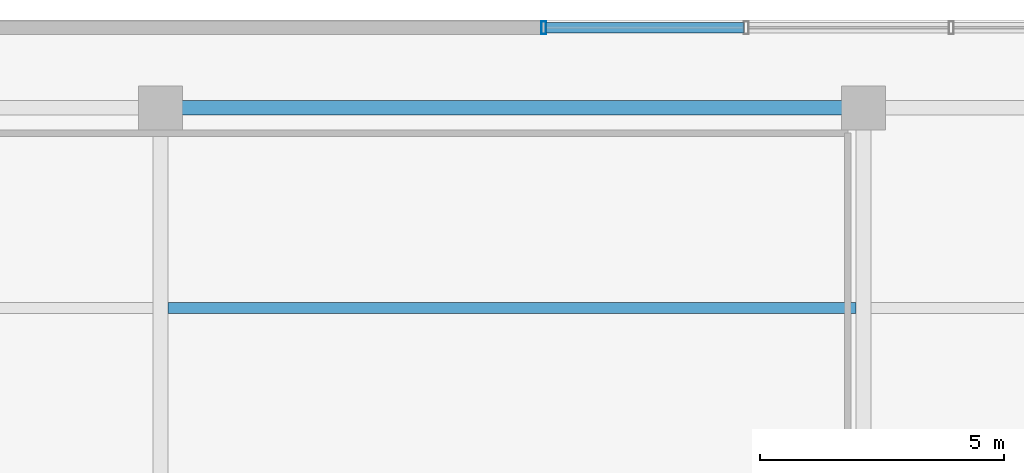
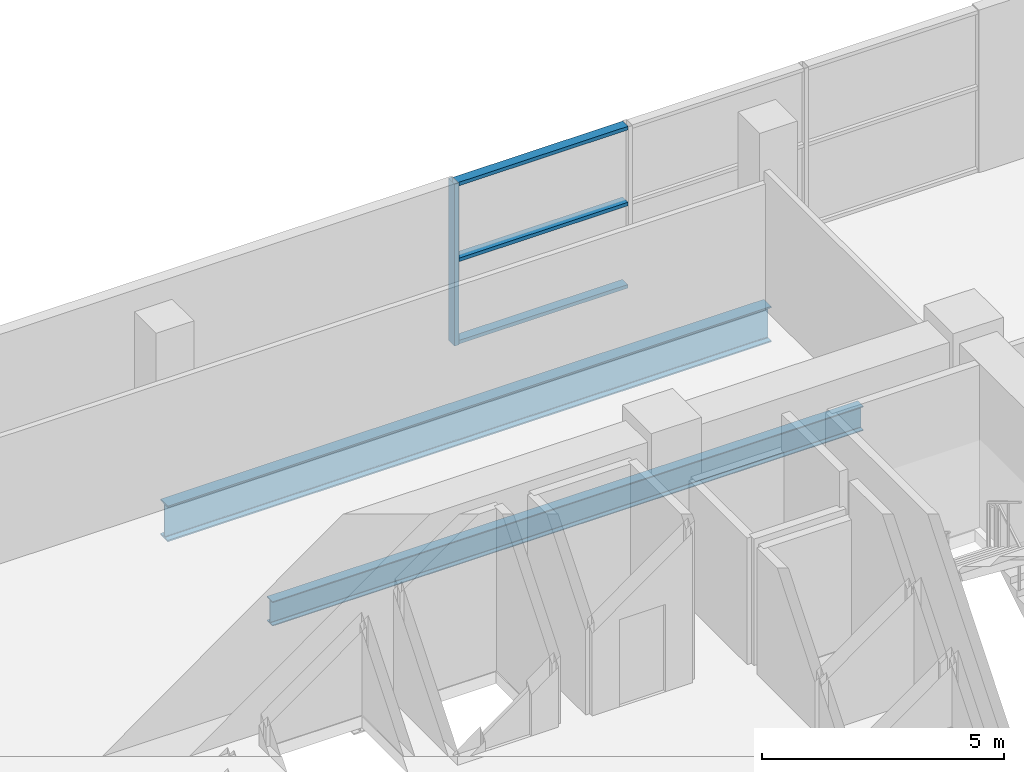
# One storey, part 10 of 21: 4 members, 2 beams, 1 element without a shape of its own.
"""IFC4 building model written with IfcOpenShell, lengths in metres."""

from ifc_helpers import new_model, si_unit, direction, frame, origin, origin_2d, place, context, subcontext, project, spatial, hollow_rectangle, i_section, extrude, source, transform, mapped, material, layer, layer_set, material_profile, profile_set, type_object, element, aggregate, save


model = new_model("IFC4")

# Units and contexts
model_context = context("Model", 3, precision=1e-05, world=origin(), true_north=direction((0.0, 1.0)))
body_context = subcontext(model_context, "Body", "Model", "MODEL_VIEW")
ifc_project = project(units=[si_unit("LENGTHUNIT", "METRE"), si_unit("AREAUNIT", "SQUARE_METRE"), si_unit("VOLUMEUNIT", "CUBIC_METRE"), si_unit("PLANEANGLEUNIT", "RADIAN"), si_unit("MASSUNIT", "GRAM", prefix="KILO")], contexts=[model_context])

# Site, building, storey
site_placement = place(None, origin())
site = spatial("IfcSite", under=ifc_project, at=site_placement, CompositionType="ELEMENT")
building_placement = place(site_placement, origin())
building = spatial("IfcBuilding", under=site, at=building_placement, Name="Zarnakvel Exchange Tower", CompositionType="ELEMENT")
storey_placement = place(building_placement, frame((0.0, 0.0, 18.199951171875)))
storey = spatial("IfcBuildingStorey", under=building, at=storey_placement, Name="L04", CompositionType="ELEMENT", Elevation=18.199951171875)

# Beams
ifc_material_1 = material(Name="Steel S355", Category="steel")
ifc_material_profile_1 = material_profile(ifc_material_1, i_section(OverallWidth=0.230224609375, OverallDepth=0.6171875, WebThickness=0.01318359375, FlangeThickness=0.022216796875, FilletRadius=0.0126953125, at=origin_2d()))
ifc_profile_set_1 = profile_set([ifc_material_profile_1], Name="Steel S355")
beam_type_1 = type_object("IfcBeamType", Name="B-02", PredefinedType="JOIST", material=ifc_profile_set_1)
beam_1_placement = place(storey_placement, frame((0.14990234375, 17.5, -0.608642578125), z_axis=(1.0, 0.0, 0.0), x_axis=(0.0, 1.0, 0.0)))
element("IfcBeam", 1, at=beam_1_placement, inside=storey, type_object=beam_type_1, Name="L04 North Bay Secondary Floor Joist", PredefinedType="JOIST", context=body_context, shape_type="SweptSolid", body=[
    extrude(i_section(OverallWidth=0.230224609375, OverallDepth=0.6171875, WebThickness=0.01318359375, FlangeThickness=0.022216796875, FilletRadius=0.0126953125, at=origin_2d()), origin(), (0.0, 0.0, 1.0), 14.10009765625),
])
ifc_material_profile_2 = material_profile(ifc_material_1, i_section(OverallWidth=0.300048828125, OverallDepth=0.89990234375, WebThickness=0.0185546875, FlangeThickness=0.034912109375, FilletRadius=0.030029296875, at=origin_2d()))
ifc_profile_set_2 = profile_set([ifc_material_profile_2], Name="Steel S355")
beam_type_2 = type_object("IfcBeamType", Name="G-01", PredefinedType="BEAM", material=ifc_profile_set_2)
beam_2_placement = place(storey_placement, frame((0.0, 21.60009765625, -0.75), z_axis=(1.0, 0.0, 0.0), x_axis=(0.0, 1.0, 0.0)))
element("IfcBeam", 2, at=beam_2_placement, inside=storey, type_object=beam_type_2, Name="L04 Primary E-W Girder Y=+21.6", PredefinedType="BEAM", context=body_context, shape_type="SweptSolid", body=[
    extrude(i_section(OverallWidth=0.300048828125, OverallDepth=0.89990234375, WebThickness=0.0185546875, FlangeThickness=0.034912109375, FilletRadius=0.030029296875, at=origin_2d()), origin(), (0.0, 0.0, 1.0), 14.39990234375),
])

# Curtain wall, members
ifc_material_2 = material(Name="Architectural Bronze Anodised Aluminium", Category="aluminium")
ifc_layer = layer(ifc_material_2, 0.260009765625)
ifc_layer_set = layer_set([ifc_layer], Name="Architectural Bronze Anodised Aluminium")
curtain_wall_type = type_object("IfcCurtainWallType", Name="CW-01", PredefinedType="NOTDEFINED", material=ifc_layer_set)
curtain_wall_placement = place(storey_placement, origin())
curtain_wall = element("IfcCurtainWall", 3, at=curtain_wall_placement, inside=storey, type_object=curtain_wall_type, Name="L04 Curtain Wall CW-L04-N2 (CW-01)", PredefinedType="NOTDEFINED")
ifc_material_profile_3 = material_profile(ifc_material_2, hollow_rectangle(XDim=0.219970703125, YDim=0.090087890625, WallThickness=0.0048828125, at=origin_2d()))
ifc_profile_set_3 = profile_set([ifc_material_profile_3], Name="Architectural Bronze Anodised Aluminium")
member_type_1 = type_object("IfcMemberType", Name="CWT-01", PredefinedType="USERDEFINED", material=ifc_profile_set_3)
shared_shape_1 = source(origin(), body_context, "Body", "SweptSolid", [
    extrude(hollow_rectangle(XDim=0.219970703125, YDim=0.090087890625, WallThickness=0.0048828125, at=origin_2d()), origin(), (0.0, 0.0, 1.0), 4.050048828125),
])
member_1_placement = place(storey_placement, frame((7.89990234375, 23.239990234375, 0.045166015625), z_axis=(1.0, 0.0, 0.0), x_axis=(0.0, 1.0, 0.0)))
member_1 = element("IfcMember", 4, at=member_1_placement, type_object=member_type_1, Name="CW-01 transom 1.1", ObjectType="TRANSOM", PredefinedType="USERDEFINED", context=body_context, shape_type="MappedRepresentation", body=[
    mapped(shared_shape_1, transform((0.0, 0.0, 0.0), x_axis=(1.0, 0.0, 0.0), y_axis=(0.0, 1.0, 0.0), z_axis=(0.0, 0.0, 1.0), scale=1.0)),
])
member_2_placement = place(storey_placement, frame((7.89990234375, 23.239990234375, 2.12158203125), z_axis=(1.0, 0.0, 0.0), x_axis=(0.0, 1.0, 0.0)))
member_2 = element("IfcMember", 5, at=member_2_placement, type_object=member_type_1, Name="CW-01 transom 1.2", ObjectType="TRANSOM", PredefinedType="USERDEFINED", context=body_context, shape_type="MappedRepresentation", body=[
    mapped(shared_shape_1, transform((0.0, 0.0, 0.0), x_axis=(1.0, 0.0, 0.0), y_axis=(0.0, 1.0, 0.0), z_axis=(0.0, 0.0, 1.0), scale=1.0)),
])
member_3_placement = place(storey_placement, frame((7.89990234375, 23.239990234375, 4.03515625), z_axis=(1.0, 0.0, 0.0), x_axis=(0.0, 1.0, 0.0)))
member_3 = element("IfcMember", 6, at=member_3_placement, type_object=member_type_1, Name="CW-01 transom 1.3", ObjectType="TRANSOM", PredefinedType="USERDEFINED", context=body_context, shape_type="MappedRepresentation", body=[
    mapped(shared_shape_1, transform((0.0, 0.0, 0.0), x_axis=(1.0, 0.0, 0.0), y_axis=(0.0, 1.0, 0.0), z_axis=(0.0, 0.0, 1.0), scale=1.0)),
])
ifc_material_profile_4 = material_profile(ifc_material_2, hollow_rectangle(XDim=0.260009765625, YDim=0.10009765625, WallThickness=0.006103515625, at=origin_2d()))
ifc_profile_set_4 = profile_set([ifc_material_profile_4], Name="Architectural Bronze Anodised Aluminium")
member_type_2 = type_object("IfcMemberType", Name="CWM-01", PredefinedType="MULLION", material=ifc_profile_set_4)
shared_shape_2 = source(origin(), body_context, "Body", "SweptSolid", [
    extrude(hollow_rectangle(XDim=0.260009765625, YDim=0.10009765625, WallThickness=0.006103515625, at=origin_2d()), origin(), (0.0, 0.0, 1.0), 4.080078125),
])
member_4_placement = place(storey_placement, frame((7.85009765625, 23.239990234375, 0.0), z_axis=(0.0, 0.0, 1.0), x_axis=(0.0, 1.0, 0.0)))
member_4 = element("IfcMember", 7, at=member_4_placement, type_object=member_type_2, Name="CW-01 mullion 1", PredefinedType="MULLION", context=body_context, shape_type="MappedRepresentation", body=[
    mapped(shared_shape_2, transform((0.0, 0.0, 0.0), x_axis=(1.0, 0.0, 0.0), y_axis=(0.0, 1.0, 0.0), z_axis=(0.0, 0.0, 1.0), scale=1.0)),
])
aggregate(curtain_wall, [member_4, member_1, member_2, member_3])

save(model, "model.ifc")
